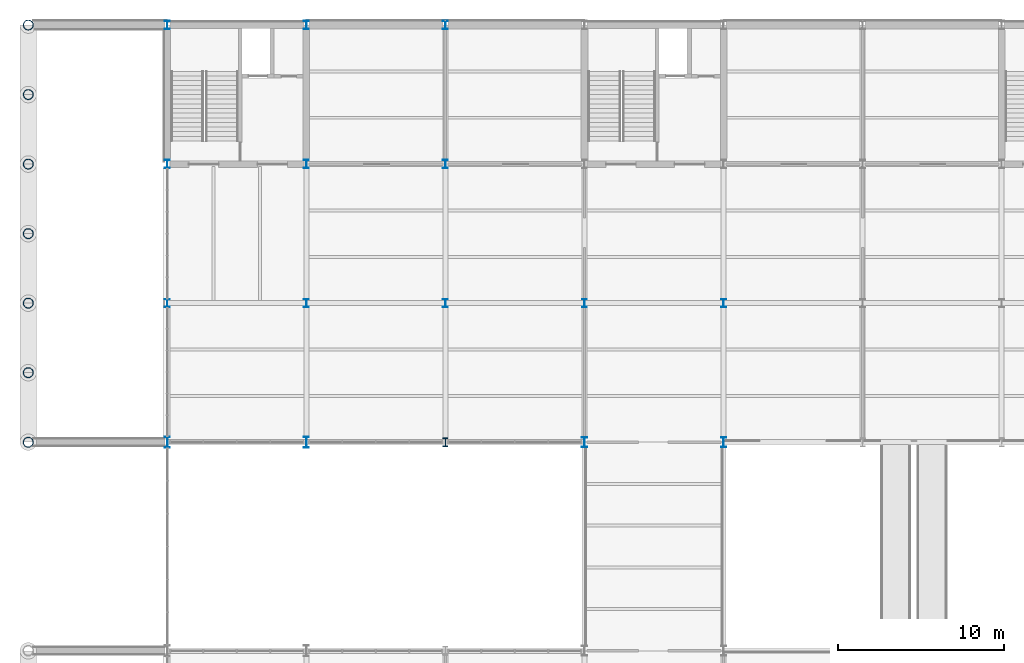
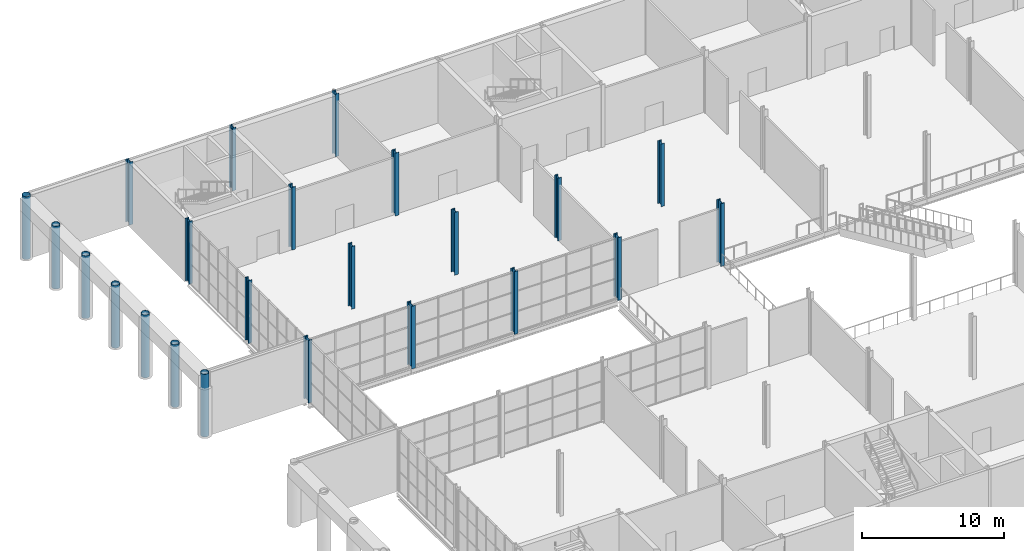
# One storey, part 3 of 64: 23 columns.
"""IFC4 building model written with IfcOpenShell, lengths in metres."""

from ifc_helpers import new_model, si_unit, direction, frame, origin, origin_2d, place, context, subcontext, project, spatial, hollow_circle, i_section, extrude, material, material_profile, profile_set, type_object, element, save


model = new_model("IFC4")

# Units and contexts
model_context = context("Model", 3, precision=1e-05, world=origin(), true_north=direction((0.0, 1.0)))
body_context = subcontext(model_context, "Body", "Model", "MODEL_VIEW")
ifc_project = project(units=[si_unit("LENGTHUNIT", "METRE"), si_unit("AREAUNIT", "SQUARE_METRE"), si_unit("VOLUMEUNIT", "CUBIC_METRE"), si_unit("PLANEANGLEUNIT", "RADIAN"), si_unit("MASSUNIT", "GRAM", prefix="KILO")], contexts=[model_context])

# Site, building, storey
site_placement = place(None, origin())
site = spatial("IfcSite", under=ifc_project, at=site_placement, CompositionType="ELEMENT")
building_placement = place(site_placement, origin())
building = spatial("IfcBuilding", under=site, at=building_placement, Name="Galleria Vessillo Department Store", CompositionType="ELEMENT")
storey_placement = place(building_placement, frame((0.0, 0.0, 6.0)))
storey = spatial("IfcBuildingStorey", under=building, at=storey_placement, Name="L01", CompositionType="ELEMENT", Elevation=6.0)

# Columns
ifc_material_1 = material(Name="Steel S355 J2", Category="steel")
ifc_material_profile_1 = material_profile(ifc_material_1, hollow_circle(Radius=0.304931640625, WallThickness=0.02490234375, at=origin_2d()), Name="CHS 610x25")
ifc_profile_set_1 = profile_set([ifc_material_profile_1], Name="Steel S355 J2")
column_type_1 = type_object("IfcColumnType", Name="Steel column CHS 610x25 CO1", PredefinedType="COLUMN", material=ifc_profile_set_1)
for number, where, z_axis, x_axis, name in (
    (1, (0.0, 37.800048828125, 0.0), (0.0, 0.0, 1.0), (1.0, 0.0, 0.0), "S-COL-L01-1-E"),
    (2, (0.0, 42.0, 0.0), (0.0, 0.0, 1.0), (1.0, 0.0, 0.0), "S-COL-L01-1-42"),
    (3, (0.0, 46.199951171875, 0.0), (0.0, 0.0, 1.0), (1.0, 0.0, 0.0), "S-COL-L01-1-F"),
    (4, (0.0, 50.39990234375, 0.0), (0.0, 0.0, 1.0), (1.0, 0.0, 0.0), "S-COL-L01-1-50.4"),
    (5, (0.0, 54.60009765625, 0.0), (0.0, 0.0, 1.0), (1.0, 0.0, 0.0), "S-COL-L01-1-G"),
    (6, (0.0, 58.800048828125, 0.0), (0.0, 0.0, 1.0), (1.0, 0.0, 0.0), "S-COL-L01-1-58.8"),
    (7, (0.0, 63.0, 0.0), (0.0, 0.0, 1.0), (1.0, 0.0, 0.0), "S-COL-L01-1-H"),
):
    element("IfcColumn", number, at=place(storey_placement, frame(where, z_axis=z_axis, x_axis=x_axis)), inside=storey, type_object=column_type_1, Name=name, PredefinedType="COLUMN", context=body_context, shape_type="SweptSolid", body=[
        extrude(hollow_circle(Radius=0.304931640625, WallThickness=0.02490234375, at=origin_2d()), origin(), (0.0, 0.0, 1.0), 5.39990234375),
    ])
ifc_material_2 = material(Name="Steel S355 J2", Category="steel")
ifc_material_profile_2 = material_profile(ifc_material_2, i_section(OverallWidth=0.300048828125, OverallDepth=0.5, WebThickness=0.014404296875, FlangeThickness=0.028076171875, FilletRadius=0.027099609375, at=origin_2d()), Name="HEB 500")
ifc_profile_set_2 = profile_set([ifc_material_profile_2], Name="Steel S355 J2")
column_type_2 = type_object("IfcColumnType", Name="Steel column HEB 500 CP1", PredefinedType="COLUMN", material=ifc_profile_set_2)
for number, where, z_axis, x_axis, name in (
    (8, (8.39990234375, 46.199951171875, 0.0), (0.0, 0.0, 1.0), (1.0, 0.0, 0.0), "S-COL-L01-2-F"),
    (9, (8.39990234375, 54.60009765625, 0.0), (0.0, 0.0, 1.0), (1.0, 0.0, 0.0), "S-COL-L01-2-G"),
    (10, (8.39990234375, 63.0, 0.0), (0.0, 0.0, 1.0), (1.0, 0.0, 0.0), "S-COL-L01-2-H"),
    (11, (16.800048828125, 46.199951171875, 0.0), (0.0, 0.0, 1.0), (1.0, 0.0, 0.0), "S-COL-L01-3-F"),
    (12, (16.800048828125, 54.60009765625, 0.0), (0.0, 0.0, 1.0), (1.0, 0.0, 0.0), "S-COL-L01-3-G"),
    (13, (16.800048828125, 63.0, 0.0), (0.0, 0.0, 1.0), (1.0, 0.0, 0.0), "S-COL-L01-3-H"),
    (14, (25.199951171875, 46.199951171875, 0.0), (0.0, 0.0, 1.0), (1.0, 0.0, 0.0), "S-COL-L01-4-F"),
    (15, (25.199951171875, 54.60009765625, 0.0), (0.0, 0.0, 1.0), (1.0, 0.0, 0.0), "S-COL-L01-4-G"),
    (16, (25.199951171875, 63.0, 0.0), (0.0, 0.0, 1.0), (1.0, 0.0, 0.0), "S-COL-L01-4-H"),
    (17, (33.60009765625, 46.199951171875, 0.0), (0.0, 0.0, 1.0), (1.0, 0.0, 0.0), "S-COL-L01-5-F"),
    (18, (42.0, 46.199951171875, 0.0), (0.0, 0.0, 1.0), (1.0, 0.0, 0.0), "S-COL-L01-6-F"),
):
    element("IfcColumn", number, at=place(storey_placement, frame(where, z_axis=z_axis, x_axis=x_axis)), inside=storey, type_object=column_type_2, Name=name, PredefinedType="COLUMN", context=body_context, shape_type="SweptSolid", body=[
        extrude(i_section(OverallWidth=0.300048828125, OverallDepth=0.5, WebThickness=0.014404296875, FlangeThickness=0.028076171875, FilletRadius=0.027099609375, at=origin_2d()), origin(), (0.0, 0.0, 1.0), 5.39990234375),
    ])
ifc_material_3 = material(Name="Steel S355 J2", Category="steel")
ifc_material_profile_3 = material_profile(ifc_material_3, i_section(OverallWidth=0.305908203125, OverallDepth=0.52392578125, WebThickness=0.02099609375, FlangeThickness=0.0400390625, FilletRadius=0.027099609375, at=origin_2d()), Name="HEM 500")
ifc_profile_set_3 = profile_set([ifc_material_profile_3], Name="Steel S355 J2")
column_type_3 = type_object("IfcColumnType", Name="Steel column HEM 500 CV1", PredefinedType="COLUMN", material=ifc_profile_set_3)
column_placement = place(storey_placement, frame((25.199951171875, 37.800048828125, 0.0), z_axis=(0.0, 0.0, 1.0), x_axis=(1.0, 0.0, 0.0)))
element("IfcColumn", 19, at=column_placement, inside=storey, type_object=column_type_3, Name="S-COL-L01-4-E", PredefinedType="COLUMN", context=body_context, shape_type="SweptSolid", body=[
    extrude(i_section(OverallWidth=0.305908203125, OverallDepth=0.52392578125, WebThickness=0.02099609375, FlangeThickness=0.0400390625, FilletRadius=0.027099609375, at=origin_2d()), origin(), (0.0, 0.0, 1.0), 5.39990234375),
])
ifc_material_4 = material(Name="Steel S355 J2", Category="steel")
ifc_material_profile_4 = material_profile(ifc_material_4, i_section(OverallWidth=0.304931640625, OverallDepth=0.6201171875, WebThickness=0.02099609375, FlangeThickness=0.0400390625, FilletRadius=0.027099609375, at=origin_2d()), Name="HEM 600")
ifc_profile_set_4 = profile_set([ifc_material_profile_4], Name="Steel S355 J2")
column_type_4 = type_object("IfcColumnType", Name="Steel column HEM 600 CV2", PredefinedType="COLUMN", material=ifc_profile_set_4)
for number, where, z_axis, x_axis, name in (
    (20, (33.60009765625, 37.800048828125, 0.0), (0.0, 0.0, 1.0), (1.0, 0.0, 0.0), "S-COL-L01-5-E"),
    (21, (42.0, 37.800048828125, 0.0), (0.0, 0.0, 1.0), (1.0, 0.0, 0.0), "S-COL-L01-6-E"),
):
    element("IfcColumn", number, at=place(storey_placement, frame(where, z_axis=z_axis, x_axis=x_axis)), inside=storey, type_object=column_type_4, Name=name, PredefinedType="COLUMN", context=body_context, shape_type="SweptSolid", body=[
        extrude(i_section(OverallWidth=0.304931640625, OverallDepth=0.6201171875, WebThickness=0.02099609375, FlangeThickness=0.0400390625, FilletRadius=0.027099609375, at=origin_2d()), origin(), (0.0, 0.0, 1.0), 5.39990234375),
    ])
ifc_material_5 = material(Name="Steel S355 J2", Category="steel")
ifc_material_profile_5 = material_profile(ifc_material_5, i_section(OverallWidth=0.304931640625, OverallDepth=0.66796875, WebThickness=0.02099609375, FlangeThickness=0.0400390625, FilletRadius=0.027099609375, at=origin_2d()), Name="HEM 650")
ifc_profile_set_5 = profile_set([ifc_material_profile_5], Name="Steel S355 J2")
column_type_5 = type_object("IfcColumnType", Name="Steel column HEM 650 CV3", PredefinedType="COLUMN", material=ifc_profile_set_5)
for number, where, z_axis, x_axis, name in (
    (22, (8.39990234375, 37.800048828125, 0.0), (0.0, 0.0, 1.0), (1.0, 0.0, 0.0), "S-COL-L01-2-E"),
    (23, (16.800048828125, 37.800048828125, 0.0), (0.0, 0.0, 1.0), (1.0, 0.0, 0.0), "S-COL-L01-3-E"),
):
    element("IfcColumn", number, at=place(storey_placement, frame(where, z_axis=z_axis, x_axis=x_axis)), inside=storey, type_object=column_type_5, Name=name, PredefinedType="COLUMN", context=body_context, shape_type="SweptSolid", body=[
        extrude(i_section(OverallWidth=0.304931640625, OverallDepth=0.66796875, WebThickness=0.02099609375, FlangeThickness=0.0400390625, FilletRadius=0.027099609375, at=origin_2d()), origin(), (0.0, 0.0, 1.0), 5.39990234375),
    ])

save(model, "model.ifc")
